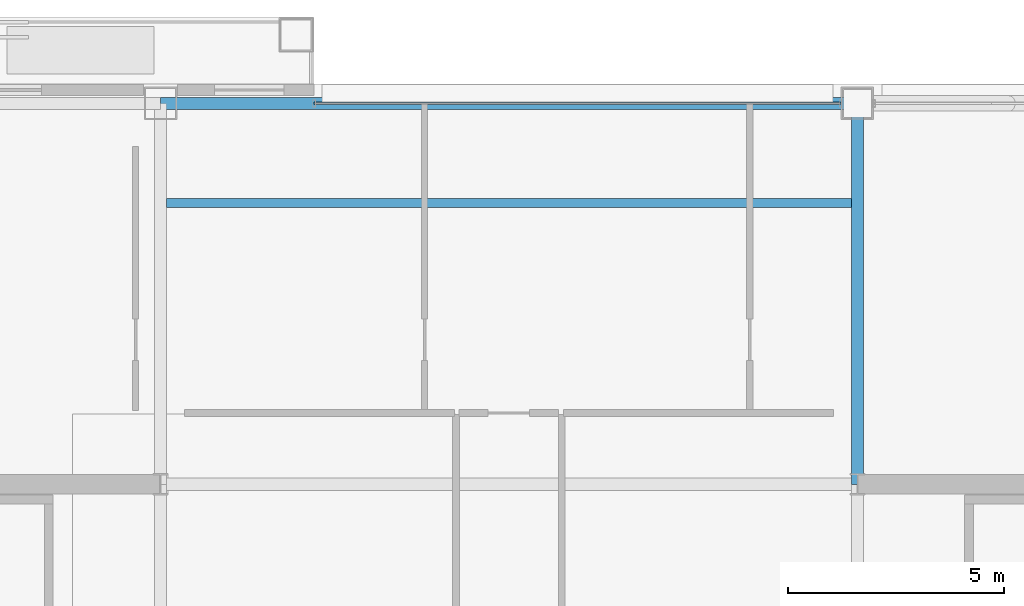
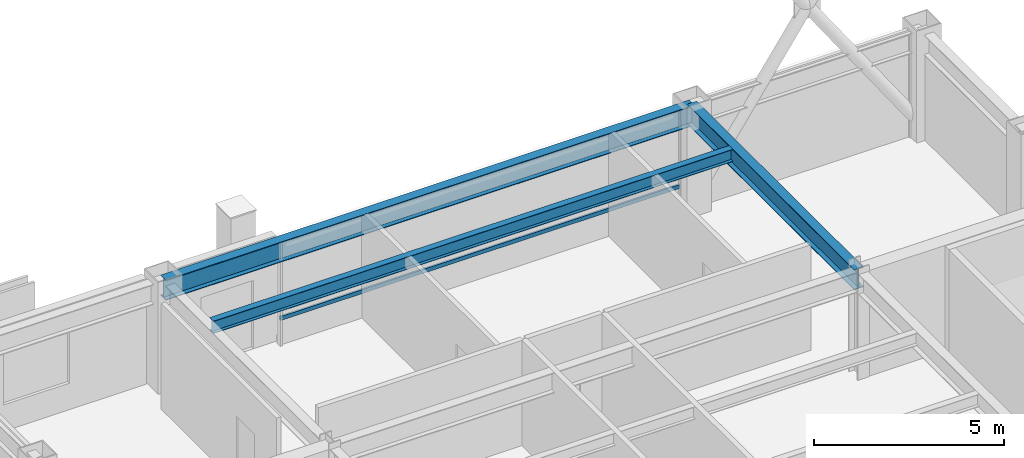
# One storey, part 21 of 30: 3 beams, 1 member, 1 element without a shape of its own.
"""IFC4 building model written with IfcOpenShell, lengths in metres."""

from ifc_helpers import new_model, si_unit, direction, frame, origin, origin_2d, place, context, subcontext, project, spatial, hollow_rectangle, i_section, extrude, material, layer, layer_set, material_profile, profile_set, type_object, element, aggregate, save


model = new_model("IFC4")

# Units and contexts
model_context = context("Model", 3, precision=1e-05, world=origin(), true_north=direction((0.0, 1.0)))
body_context = subcontext(model_context, "Body", "Model", "MODEL_VIEW")
ifc_project = project(units=[si_unit("LENGTHUNIT", "METRE"), si_unit("AREAUNIT", "SQUARE_METRE"), si_unit("VOLUMEUNIT", "CUBIC_METRE"), si_unit("PLANEANGLEUNIT", "RADIAN"), si_unit("MASSUNIT", "GRAM", prefix="KILO")], contexts=[model_context])

# Site, building, storey
site_placement = place(None, origin())
site = spatial("IfcSite", under=ifc_project, at=site_placement, CompositionType="ELEMENT")
building_placement = place(site_placement, origin())
building = spatial("IfcBuilding", under=site, at=building_placement, Name="Brelmoor Portico Tower", CompositionType="ELEMENT")
storey_placement = place(building_placement, frame((0.0, 0.0, 173.10009765625)))
storey = spatial("IfcBuildingStorey", under=building, at=storey_placement, Name="L45", CompositionType="ELEMENT", Elevation=173.10009765625)

# Beams
ifc_material_1 = material(Name="Steel Q355B", Category="steel")
ifc_material_profile_1 = material_profile(ifc_material_1, i_section(OverallWidth=0.199951171875, OverallDepth=0.39990234375, WebThickness=0.008056640625, FlangeThickness=0.012939453125, at=origin_2d()), Name="HN 400x200x8x13")
ifc_profile_set_1 = profile_set([ifc_material_profile_1], Name="Steel Q355B")
beam_type_1 = type_object("IfcBeamType", Name="BM-JS-400", PredefinedType="JOIST", material=ifc_profile_set_1)
beam_1_placement = place(storey_placement, frame((-7.909912109375, 16.25, 3.199951171875), z_axis=(1.0, 0.0, 0.0), x_axis=(0.0, 1.0, 0.0)))
element("IfcBeam", 1, at=beam_1_placement, inside=storey, type_object=beam_type_1, Name="L45 Secondary Composite Joist JS-C04", PredefinedType="JOIST", context=body_context, shape_type="SweptSolid", body=[
    extrude(i_section(OverallWidth=0.199951171875, OverallDepth=0.39990234375, WebThickness=0.008056640625, FlangeThickness=0.012939453125, at=origin_2d()), origin(), (0.0, 0.0, 1.0), 15.81982421875),
])
ifc_material_profile_2 = material_profile(ifc_material_1, i_section(OverallWidth=0.280029296875, OverallDepth=0.64990234375, WebThickness=0.012939453125, FlangeThickness=0.02197265625, at=origin_2d()), Name="HN 650x280x13x22")
ifc_profile_set_2 = profile_set([ifc_material_profile_2], Name="Steel Q355B")
beam_type_2 = type_object("IfcBeamType", Name="BM-PG-650", PredefinedType="BEAM", material=ifc_profile_set_2)
beam_2_placement = place(storey_placement, frame((8.050048828125, 9.75, 3.074951171875), z_axis=(0.0, 1.0, 0.0), x_axis=(-1.0, 0.0, 0.0)))
element("IfcBeam", 2, at=beam_2_placement, inside=storey, type_object=beam_type_2, Name="L45 Primary Floor Girder PG-08", PredefinedType="BEAM", context=body_context, shape_type="SweptSolid", body=[
    extrude(i_section(OverallWidth=0.280029296875, OverallDepth=0.64990234375, WebThickness=0.012939453125, FlangeThickness=0.02197265625, at=origin_2d()), origin(), (0.0, 0.0, 1.0), 8.800048828125),
])
ifc_material_profile_3 = material_profile(ifc_material_1, i_section(OverallWidth=0.280029296875, OverallDepth=0.64990234375, WebThickness=0.012939453125, FlangeThickness=0.02197265625, at=origin_2d()), Name="HN 650x280x13x22")
ifc_profile_set_3 = profile_set([ifc_material_profile_3], Name="Steel Q355B")
beam_type_3 = type_object("IfcBeamType", Name="BM-SP-650", PredefinedType="SPANDREL", material=ifc_profile_set_3)
beam_3_placement = place(storey_placement, frame((-8.050048828125, 18.550048828125, 3.074951171875), z_axis=(1.0, 0.0, 0.0), x_axis=(0.0, 1.0, 0.0)))
element("IfcBeam", 3, at=beam_3_placement, inside=storey, type_object=beam_type_3, Name="L45 Perimeter Spandrel Beam SP-09", PredefinedType="SPANDREL", context=body_context, shape_type="SweptSolid", body=[
    extrude(i_section(OverallWidth=0.280029296875, OverallDepth=0.64990234375, WebThickness=0.012939453125, FlangeThickness=0.02197265625, at=origin_2d()), origin(), (0.0, 0.0, 1.0), 16.10009765625),
])

# Curtain wall, member
ifc_material_2 = material(Name="Anodised Aluminium Alloy 6063-T6", Category="aluminium")
ifc_layer = layer(ifc_material_2, 0.179931640625)
ifc_layer_set = layer_set([ifc_layer], Name="Anodised Aluminium Alloy 6063-T6")
curtain_wall_type = type_object("IfcCurtainWallType", Name="CW-TOWER-Z3", PredefinedType="NOTDEFINED", material=ifc_layer_set)
curtain_wall_placement = place(storey_placement, origin())
curtain_wall = element("IfcCurtainWall", 4, at=curtain_wall_placement, inside=storey, type_object=curtain_wall_type, Name="L45 Curtain Wall CW-L45-2R-1", PredefinedType="NOTDEFINED")
ifc_material_profile_4 = material_profile(ifc_material_2, hollow_rectangle(XDim=0.06005859375, YDim=0.125, WallThickness=0.00341796875, at=origin_2d()), Name="ALU TRANSOM 60x125")
ifc_profile_set_4 = profile_set([ifc_material_profile_4], Name="Anodised Aluminium Alloy 6063-T6")
member_type = type_object("IfcMemberType", Name="MB-CW-TRAN-125", PredefinedType="USERDEFINED", material=ifc_profile_set_4)
member_placement = place(storey_placement, frame((-4.5, 18.550048828125, 0.849853515625), z_axis=(1.0, 0.0, 0.0), x_axis=(0.0, 1.0, 0.0)))
member = element("IfcMember", 5, at=member_placement, type_object=member_type, Name="CW-L45-2R-1 Transom 1-00", ObjectType="TRANSOM", PredefinedType="USERDEFINED", context=body_context, shape_type="SweptSolid", body=[
    extrude(hollow_rectangle(XDim=0.06005859375, YDim=0.125, WallThickness=0.00341796875, at=origin_2d()), origin(), (0.0, 0.0, 1.0), 12.1650390625),
])
aggregate(curtain_wall, [member])

save(model, "model.ifc")
